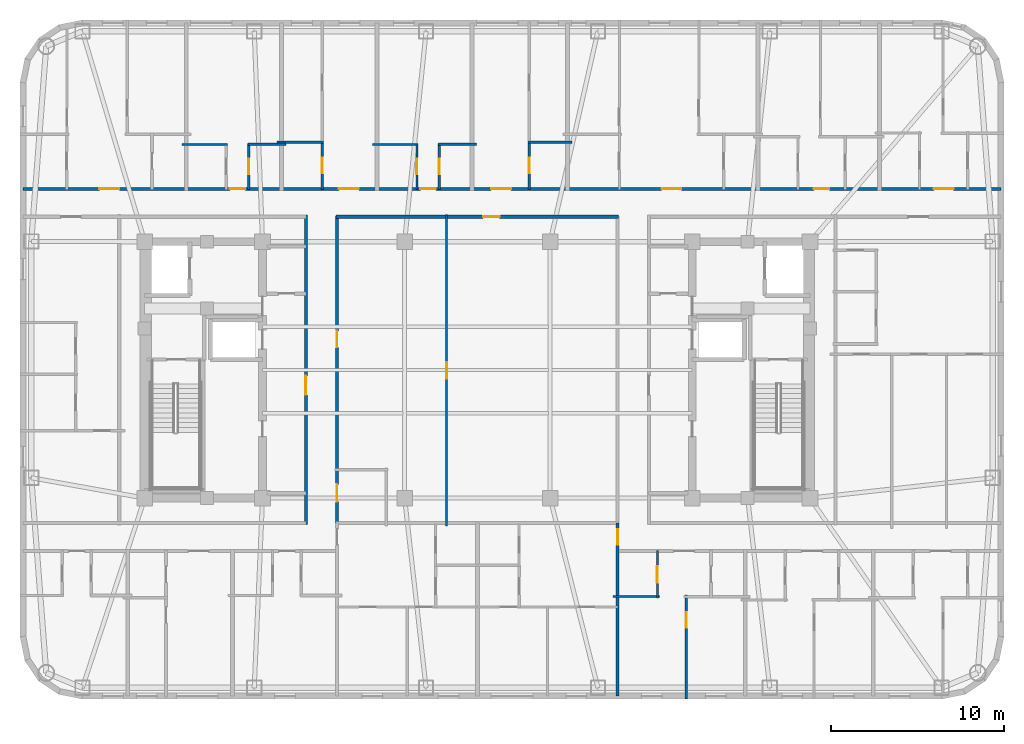
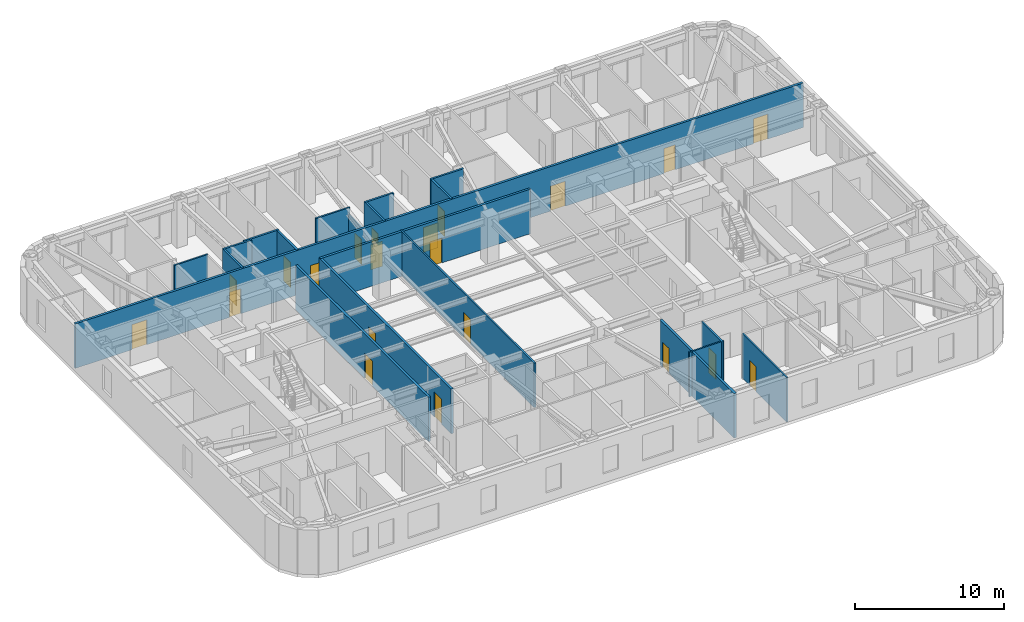
# One storey, part 5 of 11: 21 doors, 20 walls, 21 openings.
"""IFC4 building model written with IfcOpenShell, lengths in metres."""

from ifc_helpers import new_model, si_unit, direction, frame, frame_2d, origin, place, context, subcontext, project, spatial, rectangle, extrude, material, layer, layer_set, type_object, element, fill, save


model = new_model("IFC4")

# Units and contexts
model_context = context("Model", 3, precision=1e-05, world=origin(), true_north=direction((0.0, 1.0)))
body_context = subcontext(model_context, "Body", "Model", "MODEL_VIEW")
ifc_project = project(units=[si_unit("LENGTHUNIT", "METRE"), si_unit("AREAUNIT", "SQUARE_METRE"), si_unit("VOLUMEUNIT", "CUBIC_METRE"), si_unit("PLANEANGLEUNIT", "RADIAN"), si_unit("MASSUNIT", "GRAM", prefix="KILO")], contexts=[model_context])

# Site, building, storey
site_placement = place(None, origin())
site = spatial("IfcSite", under=ifc_project, at=site_placement, CompositionType="ELEMENT")
building_placement = place(site_placement, origin())
building = spatial("IfcBuilding", under=site, at=building_placement, Name="Voryun Gate Residences", CompositionType="ELEMENT")
storey_placement = place(building_placement, frame((0.0, 0.0, 239.199951171875)))
storey = spatial("IfcBuildingStorey", under=building, at=storey_placement, Name="L59", CompositionType="ELEMENT", Elevation=239.199951171875)

# Wall, opening, door
ifc_material_1 = material(Name="Gypsum acoustic fireboard")
ifc_layer_1 = layer(ifc_material_1, 0.179931640625, Name="W_CORR_RATED_180")
ifc_layer_set_1 = layer_set([ifc_layer_1], Name="Gypsum acoustic fireboard")
wall_type_1 = type_object("IfcWallType", Name="W_CORR_RATED_180", PredefinedType="PARTITIONING", material=ifc_layer_set_1)
wall_1_placement = place(storey_placement, frame((-9.89990234375, -8.929931640625, 0.0), z_axis=(0.0, 0.0, 1.0), x_axis=(0.0, 1.0, 0.0)))
wall_1 = element("IfcWall", 1, at=wall_1_placement, inside=storey, type_object=wall_type_1, Name="Partition wall WP-L59-PLBW-FULL", PredefinedType="PARTITIONING", context=body_context, shape_type="SweptSolid", body=[
    extrude(rectangle(XDim=17.85986328125, YDim=0.179931640625, at=frame_2d((8.929931640625, 0.0))), origin(), (0.0, 0.0, 1.0), 3.650146484375),
])
opening_1_placement = place(wall_1_placement, frame((7.487060546875, 0.0, 0.0)))
opening_1 = element("IfcOpeningElement", 2, at=opening_1_placement, cuts=wall_1, Name="Opening D-FD60-2", PredefinedType="OPENING", context=body_context, shape_type="SweptSolid", body=[
    extrude(rectangle(XDim=1.10009765625, YDim=2.050048828125, at=frame_2d((0.550048828125, 1.02490234375))), frame((0.0, 0.099853515625, 0.0), z_axis=(0.0, -1.0, 0.0), x_axis=(1.0, 0.0, 0.0)), (0.0, 0.0, 1.0), 0.199951171875),
])
ifc_material_2 = material(Name="Painted steel fire door", Category="steel")
door_type_1 = type_object("IfcDoorType", Name="DR_FD60_FFLOB_1100", OperationType="NOTDEFINED", PredefinedType="DOOR", material=ifc_material_2)
door_1_placement = place(opening_1_placement, origin())
door_1 = element("IfcDoor", 3, at=door_1_placement, inside=storey, type_object=door_type_1, Name="Door DR-L59-PLBW-COR", OperationType="SINGLE_SWING_LEFT", OverallHeight=2.050048828125, OverallWidth=1.10009765625, PredefinedType="DOOR", context=body_context, shape_type="SweptSolid", body=[
    extrude(rectangle(XDim=1.10009765625, YDim=2.050048828125, at=frame_2d((0.550048828125, 1.02490234375))), frame((0.0, 0.02490234375, 0.0), z_axis=(0.0, -1.0, 0.0), x_axis=(1.0, 0.0, 0.0)), (0.0, 0.0, 1.0), 0.050048828125),
])
fill(opening_1, door_1)

wall_2_placement = place(storey_placement, frame((-8.14990234375, 8.840087890625, 0.0), z_axis=(0.0, 0.0, 1.0), x_axis=(1.0, 0.0, 0.0)))
wall_2 = element("IfcWall", 4, at=wall_2_placement, inside=storey, type_object=wall_type_1, Name="Partition wall WP-L59-Z3N", PredefinedType="PARTITIONING", context=body_context, shape_type="SweptSolid", body=[
    extrude(rectangle(XDim=16.2998046875, YDim=0.179931640625, at=frame_2d((8.14990234375, 0.0))), origin(), (0.0, 0.0, 1.0), 3.650146484375),
])
opening_2_placement = place(wall_2_placement, frame((8.489990234375, 0.0, 0.0)))
opening_2 = element("IfcOpeningElement", 5, at=opening_2_placement, cuts=wall_2, Name="Opening D-INT-1", PredefinedType="OPENING", context=body_context, shape_type="SweptSolid", body=[
    extrude(rectangle(XDim=0.949951171875, YDim=2.050048828125, at=frame_2d((0.47509765625, 1.02490234375))), frame((0.0, 0.099853515625, 0.0), z_axis=(0.0, -1.0, 0.0), x_axis=(1.0, 0.0, 0.0)), (0.0, 0.0, 1.0), 0.199951171875),
])
ifc_material_3 = material(Name="Architectural oak veneer")
door_type_2 = type_object("IfcDoorType", Name="DR_INT_ROOM_950", OperationType="NOTDEFINED", PredefinedType="DOOR", material=ifc_material_3)
door_2_placement = place(opening_2_placement, origin())
door_2 = element("IfcDoor", 6, at=door_2_placement, inside=storey, type_object=door_type_2, Name="Door DR-L59-CMIDZ3N", OperationType="SINGLE_SWING_LEFT", OverallHeight=2.050048828125, OverallWidth=0.949951171875, PredefinedType="DOOR", context=body_context, shape_type="SweptSolid", body=[
    extrude(rectangle(XDim=0.949951171875, YDim=2.050048828125, at=frame_2d((0.47509765625, 1.02490234375))), frame((0.0, 0.02490234375, 0.0), z_axis=(0.0, -1.0, 0.0), x_axis=(1.0, 0.0, 0.0)), (0.0, 0.0, 1.0), 0.050048828125),
])
fill(opening_2, door_2)

# Wall, openings, doors
wall_3_placement = place(storey_placement, frame((-8.10009765625, -8.8798828125, 0.0), z_axis=(0.0, 0.0, 1.0), x_axis=(0.0, 1.0, 0.0)))
wall_3 = element("IfcWall", 7, at=wall_3_placement, inside=storey, type_object=wall_type_1, Name="Partition wall WP-L59-Z3W", PredefinedType="PARTITIONING", context=body_context, shape_type="SweptSolid", body=[
    extrude(rectangle(XDim=17.759765625, YDim=0.179931640625, at=frame_2d((8.8798828125, 0.0))), origin(), (0.0, 0.0, 1.0), 3.650146484375),
])
opening_3_placement = place(wall_3_placement, frame((1.27587890625, 0.0, 0.0)))
opening_3 = element("IfcOpeningElement", 8, at=opening_3_placement, cuts=wall_3, Name="Opening D-AWC-1", PredefinedType="OPENING", context=body_context, shape_type="SweptSolid", body=[
    extrude(rectangle(XDim=1.0, YDim=2.050048828125, at=frame_2d((0.5, 1.02490234375))), frame((0.0, 0.099853515625, 0.0), z_axis=(0.0, -1.0, 0.0), x_axis=(1.0, 0.0, 0.0)), (0.0, 0.0, 1.0), 0.199951171875),
])
opening_4_placement = place(wall_3_placement, frame((10.180908203125, 0.0, 0.0)))
opening_4 = element("IfcOpeningElement", 9, at=opening_4_placement, cuts=wall_3, Name="Opening D-INT-1", PredefinedType="OPENING", context=body_context, shape_type="SweptSolid", body=[
    extrude(rectangle(XDim=0.949951171875, YDim=2.050048828125, at=frame_2d((0.47509765625, 1.02490234375))), frame((0.0, 0.099853515625, 0.0), z_axis=(0.0, -1.0, 0.0), x_axis=(1.0, 0.0, 0.0)), (0.0, 0.0, 1.0), 0.199951171875),
])
ifc_material_4 = material(Name="Architectural oak veneer")
door_type_3 = type_object("IfcDoorType", Name="DR_ACC_WC_1000", OperationType="NOTDEFINED", PredefinedType="DOOR", material=ifc_material_4)
door_3_placement = place(opening_3_placement, origin())
door_3 = element("IfcDoor", 10, at=door_3_placement, inside=storey, type_object=door_type_3, Name="Door DR-L59-CMWC-D", OperationType="SINGLE_SWING_LEFT", OverallHeight=2.050048828125, OverallWidth=1.0, PredefinedType="DOOR", context=body_context, shape_type="SweptSolid", body=[
    extrude(rectangle(XDim=1.0, YDim=2.050048828125, at=frame_2d((0.5, 1.02490234375))), frame((0.0, 0.02490234375, 0.0), z_axis=(0.0, -1.0, 0.0), x_axis=(1.0, 0.0, 0.0)), (0.0, 0.0, 1.0), 0.050048828125),
])
fill(opening_3, door_3)
door_4_placement = place(opening_4_placement, origin())
door_4 = element("IfcDoor", 11, at=door_4_placement, inside=storey, type_object=door_type_2, Name="Door DR-L59-CMIDZ3W", OperationType="SINGLE_SWING_RIGHT", OverallHeight=2.050048828125, OverallWidth=0.949951171875, PredefinedType="DOOR", context=body_context, shape_type="SweptSolid", body=[
    extrude(rectangle(XDim=0.949951171875, YDim=2.050048828125, at=frame_2d((0.47509765625, 1.02490234375))), frame((0.0, 0.02490234375, 0.0), z_axis=(0.0, -1.0, 0.0), x_axis=(1.0, 0.0, 0.0)), (0.0, 0.0, 1.0), 0.050048828125),
])
fill(opening_4, door_4)

wall_4_placement = place(storey_placement, frame((-26.22998046875, 10.449951171875, 0.0), z_axis=(0.0, 0.0, 1.0), x_axis=(1.0, 0.0, 0.0)))
wall_4 = element("IfcWall", 12, at=wall_4_placement, inside=storey, type_object=wall_type_1, Name="Partition wall WP-L59-NCORR", PredefinedType="PARTITIONING", context=body_context, shape_type="SweptSolid", body=[
    extrude(rectangle(XDim=56.4599609375, YDim=0.179931640625, at=frame_2d((28.22998046875, 0.0))), origin(), (0.0, 0.0, 1.0), 3.650146484375),
])
opening_5_placement = place(wall_4_placement, frame((4.410400390625, 0.0, 0.0)))
opening_5 = element("IfcOpeningElement", 13, at=opening_5_placement, cuts=wall_4, Name="Opening D-UNIT-1", PredefinedType="OPENING", context=body_context, shape_type="SweptSolid", body=[
    extrude(rectangle(XDim=1.14990234375, YDim=2.050048828125, at=frame_2d((0.574951171875, 1.02490234375))), frame((0.0, 0.099853515625, 0.0), z_axis=(0.0, -1.0, 0.0), x_axis=(1.0, 0.0, 0.0)), (0.0, 0.0, 1.0), 0.199951171875),
])
opening_6_placement = place(wall_4_placement, frame((11.943115234375, 0.0, 0.0)))
opening_6 = element("IfcOpeningElement", 14, at=opening_6_placement, cuts=wall_4, Name="Opening D-INT-2", PredefinedType="OPENING", context=body_context, shape_type="SweptSolid", body=[
    extrude(rectangle(XDim=0.89990234375, YDim=2.050048828125, at=frame_2d((0.449951171875, 1.02490234375))), frame((0.0, 0.099853515625, 0.0), z_axis=(0.0, -1.0, 0.0), x_axis=(1.0, 0.0, 0.0)), (0.0, 0.0, 1.0), 0.199951171875),
])
opening_7_placement = place(wall_4_placement, frame((18.2431640625, 0.0, 0.0)))
opening_7 = element("IfcOpeningElement", 15, at=opening_7_placement, cuts=wall_4, Name="Opening D-UNIT-1", PredefinedType="OPENING", context=body_context, shape_type="SweptSolid", body=[
    extrude(rectangle(XDim=1.14990234375, YDim=2.050048828125, at=frame_2d((0.574951171875, 1.02490234375))), frame((0.0, 0.099853515625, 0.0), z_axis=(0.0, -1.0, 0.0), x_axis=(1.0, 0.0, 0.0)), (0.0, 0.0, 1.0), 0.199951171875),
])
opening_8_placement = place(wall_4_placement, frame((22.94140625, 0.0, 0.0)))
opening_8 = element("IfcOpeningElement", 16, at=opening_8_placement, cuts=wall_4, Name="Opening D-INT-2", PredefinedType="OPENING", context=body_context, shape_type="SweptSolid", body=[
    extrude(rectangle(XDim=0.89990234375, YDim=2.050048828125, at=frame_2d((0.449951171875, 1.02490234375))), frame((0.0, 0.099853515625, 0.0), z_axis=(0.0, -1.0, 0.0), x_axis=(1.0, 0.0, 0.0)), (0.0, 0.0, 1.0), 0.199951171875),
])
opening_9_placement = place(wall_4_placement, frame((27.0283203125, 0.0, 0.0)))
opening_9 = element("IfcOpeningElement", 17, at=opening_9_placement, cuts=wall_4, Name="Opening D-UNIT-1", PredefinedType="OPENING", context=body_context, shape_type="SweptSolid", body=[
    extrude(rectangle(XDim=1.14990234375, YDim=2.050048828125, at=frame_2d((0.574951171875, 1.02490234375))), frame((0.0, 0.099853515625, 0.0), z_axis=(0.0, -1.0, 0.0), x_axis=(1.0, 0.0, 0.0)), (0.0, 0.0, 1.0), 0.199951171875),
])
opening_10_placement = place(wall_4_placement, frame((36.863525390625, 0.0, 0.0)))
opening_10 = element("IfcOpeningElement", 18, at=opening_10_placement, cuts=wall_4, Name="Opening D-UNIT-1", PredefinedType="OPENING", context=body_context, shape_type="SweptSolid", body=[
    extrude(rectangle(XDim=1.14990234375, YDim=2.050048828125, at=frame_2d((0.574951171875, 1.02490234375))), frame((0.0, 0.099853515625, 0.0), z_axis=(0.0, -1.0, 0.0), x_axis=(1.0, 0.0, 0.0)), (0.0, 0.0, 1.0), 0.199951171875),
])
opening_11_placement = place(wall_4_placement, frame((45.6552734375, 0.0, 0.0)))
opening_11 = element("IfcOpeningElement", 19, at=opening_11_placement, cuts=wall_4, Name="Opening D-INT-2", PredefinedType="OPENING", context=body_context, shape_type="SweptSolid", body=[
    extrude(rectangle(XDim=0.89990234375, YDim=2.050048828125, at=frame_2d((0.449951171875, 1.02490234375))), frame((0.0, 0.099853515625, 0.0), z_axis=(0.0, -1.0, 0.0), x_axis=(1.0, 0.0, 0.0)), (0.0, 0.0, 1.0), 0.199951171875),
])
opening_12_placement = place(wall_4_placement, frame((52.576416015625, 0.0, 0.0)))
opening_12 = element("IfcOpeningElement", 20, at=opening_12_placement, cuts=wall_4, Name="Opening D-UNIT-1", PredefinedType="OPENING", context=body_context, shape_type="SweptSolid", body=[
    extrude(rectangle(XDim=1.14990234375, YDim=2.050048828125, at=frame_2d((0.574951171875, 1.02490234375))), frame((0.0, 0.099853515625, 0.0), z_axis=(0.0, -1.0, 0.0), x_axis=(1.0, 0.0, 0.0)), (0.0, 0.0, 1.0), 0.199951171875),
])
ifc_material_5 = material(Name="Architectural oak veneer")
door_type_4 = type_object("IfcDoorType", Name="DR_INT_BATH_900", OperationType="NOTDEFINED", PredefinedType="DOOR", material=ifc_material_5)
door_5_placement = place(opening_6_placement, origin())
door_5 = element("IfcDoor", 21, at=door_5_placement, inside=storey, type_object=door_type_4, Name="Door DR-L59-NENT-2", OperationType="SINGLE_SWING_RIGHT", OverallHeight=2.050048828125, OverallWidth=0.89990234375, PredefinedType="DOOR", context=body_context, shape_type="SweptSolid", body=[
    extrude(rectangle(XDim=0.89990234375, YDim=2.050048828125, at=frame_2d((0.449951171875, 1.02490234375))), frame((0.0, 0.02490234375, 0.0), z_axis=(0.0, -1.0, 0.0), x_axis=(1.0, 0.0, 0.0)), (0.0, 0.0, 1.0), 0.050048828125),
])
fill(opening_6, door_5)
door_6_placement = place(opening_8_placement, origin())
door_6 = element("IfcDoor", 22, at=door_6_placement, inside=storey, type_object=door_type_4, Name="Door DR-L59-NENT-4", OperationType="SINGLE_SWING_RIGHT", OverallHeight=2.050048828125, OverallWidth=0.89990234375, PredefinedType="DOOR", context=body_context, shape_type="SweptSolid", body=[
    extrude(rectangle(XDim=0.89990234375, YDim=2.050048828125, at=frame_2d((0.449951171875, 1.02490234375))), frame((0.0, 0.02490234375, 0.0), z_axis=(0.0, -1.0, 0.0), x_axis=(1.0, 0.0, 0.0)), (0.0, 0.0, 1.0), 0.050048828125),
])
fill(opening_8, door_6)
door_7_placement = place(opening_11_placement, origin())
door_7 = element("IfcDoor", 23, at=door_7_placement, inside=storey, type_object=door_type_4, Name="Door DR-L59-NENT-7", OperationType="SINGLE_SWING_LEFT", OverallHeight=2.050048828125, OverallWidth=0.89990234375, PredefinedType="DOOR", context=body_context, shape_type="SweptSolid", body=[
    extrude(rectangle(XDim=0.89990234375, YDim=2.050048828125, at=frame_2d((0.449951171875, 1.02490234375))), frame((0.0, 0.02490234375, 0.0), z_axis=(0.0, -1.0, 0.0), x_axis=(1.0, 0.0, 0.0)), (0.0, 0.0, 1.0), 0.050048828125),
])
fill(opening_11, door_7)
ifc_material_6 = material(Name="Armoured timber-clad fire door", Category="wood")
door_type_5 = type_object("IfcDoorType", Name="DR_UNIT_ENTRY_1150", OperationType="NOTDEFINED", PredefinedType="DOOR", material=ifc_material_6)
door_8_placement = place(opening_5_placement, origin())
door_8 = element("IfcDoor", 24, at=door_8_placement, inside=storey, type_object=door_type_5, Name="Door DR-L59-NENT-1", OperationType="SINGLE_SWING_LEFT", OverallHeight=2.050048828125, OverallWidth=1.14990234375, PredefinedType="DOOR", context=body_context, shape_type="SweptSolid", body=[
    extrude(rectangle(XDim=1.14990234375, YDim=2.050048828125, at=frame_2d((0.574951171875, 1.02490234375))), frame((0.0, 0.02490234375, 0.0), z_axis=(0.0, -1.0, 0.0), x_axis=(1.0, 0.0, 0.0)), (0.0, 0.0, 1.0), 0.050048828125),
])
fill(opening_5, door_8)
door_9_placement = place(opening_7_placement, origin())
door_9 = element("IfcDoor", 25, at=door_9_placement, inside=storey, type_object=door_type_5, Name="Door DR-L59-NENT-3", OperationType="SINGLE_SWING_LEFT", OverallHeight=2.050048828125, OverallWidth=1.14990234375, PredefinedType="DOOR", context=body_context, shape_type="SweptSolid", body=[
    extrude(rectangle(XDim=1.14990234375, YDim=2.050048828125, at=frame_2d((0.574951171875, 1.02490234375))), frame((0.0, 0.02490234375, 0.0), z_axis=(0.0, -1.0, 0.0), x_axis=(1.0, 0.0, 0.0)), (0.0, 0.0, 1.0), 0.050048828125),
])
fill(opening_7, door_9)
door_10_placement = place(opening_9_placement, origin())
door_10 = element("IfcDoor", 26, at=door_10_placement, inside=storey, type_object=door_type_5, Name="Door DR-L59-NENT-5", OperationType="SINGLE_SWING_LEFT", OverallHeight=2.050048828125, OverallWidth=1.14990234375, PredefinedType="DOOR", context=body_context, shape_type="SweptSolid", body=[
    extrude(rectangle(XDim=1.14990234375, YDim=2.050048828125, at=frame_2d((0.574951171875, 1.02490234375))), frame((0.0, 0.02490234375, 0.0), z_axis=(0.0, -1.0, 0.0), x_axis=(1.0, 0.0, 0.0)), (0.0, 0.0, 1.0), 0.050048828125),
])
fill(opening_9, door_10)
door_11_placement = place(opening_10_placement, origin())
door_11 = element("IfcDoor", 27, at=door_11_placement, inside=storey, type_object=door_type_5, Name="Door DR-L59-NENT-6", OperationType="SINGLE_SWING_RIGHT", OverallHeight=2.050048828125, OverallWidth=1.14990234375, PredefinedType="DOOR", context=body_context, shape_type="SweptSolid", body=[
    extrude(rectangle(XDim=1.14990234375, YDim=2.050048828125, at=frame_2d((0.574951171875, 1.02490234375))), frame((0.0, 0.02490234375, 0.0), z_axis=(0.0, -1.0, 0.0), x_axis=(1.0, 0.0, 0.0)), (0.0, 0.0, 1.0), 0.050048828125),
])
fill(opening_10, door_11)
door_12_placement = place(opening_12_placement, origin())
door_12 = element("IfcDoor", 28, at=door_12_placement, inside=storey, type_object=door_type_5, Name="Door DR-L59-NENT-8", OperationType="SINGLE_SWING_RIGHT", OverallHeight=2.050048828125, OverallWidth=1.14990234375, PredefinedType="DOOR", context=body_context, shape_type="SweptSolid", body=[
    extrude(rectangle(XDim=1.14990234375, YDim=2.050048828125, at=frame_2d((0.574951171875, 1.02490234375))), frame((0.0, 0.02490234375, 0.0), z_axis=(0.0, -1.0, 0.0), x_axis=(1.0, 0.0, 0.0)), (0.0, 0.0, 1.0), 0.050048828125),
])
fill(opening_12, door_12)

# Wall, opening, door
wall_5_placement = place(storey_placement, frame((8.10009765625, -18.830078125, 0.0), z_axis=(0.0, 0.0, 1.0), x_axis=(0.0, 1.0, 0.0)))
wall_5 = element("IfcWall", 29, at=wall_5_placement, inside=storey, type_object=wall_type_1, Name="Partition wall WP-L59-SZV-2", PredefinedType="PARTITIONING", context=body_context, shape_type="SweptSolid", body=[
    extrude(rectangle(XDim=9.989990234375, YDim=0.179931640625, at=frame_2d((4.9951171875, 0.0))), origin(), (0.0, 0.0, 1.0), 3.650146484375),
])
opening_13_placement = place(wall_5_placement, frame((8.73974609375, 0.0, 0.0)))
opening_13 = element("IfcOpeningElement", 30, at=opening_13_placement, cuts=wall_5, Name="Opening D-INT-2", PredefinedType="OPENING", context=body_context, shape_type="SweptSolid", body=[
    extrude(rectangle(XDim=0.89990234375, YDim=2.050048828125, at=frame_2d((0.449951171875, 1.02490234375))), frame((0.0, 0.099853515625, 0.0), z_axis=(0.0, -1.0, 0.0), x_axis=(1.0, 0.0, 0.0)), (0.0, 0.0, 1.0), 0.199951171875),
])
door_13_placement = place(opening_13_placement, origin())
door_13 = element("IfcDoor", 31, at=door_13_placement, inside=storey, type_object=door_type_4, Name="Door DR-L59-SZENT-2", OperationType="SINGLE_SWING_RIGHT", OverallHeight=2.050048828125, OverallWidth=0.89990234375, PredefinedType="DOOR", context=body_context, shape_type="SweptSolid", body=[
    extrude(rectangle(XDim=0.89990234375, YDim=2.050048828125, at=frame_2d((0.449951171875, 1.02490234375))), frame((0.0, 0.02490234375, 0.0), z_axis=(0.0, -1.0, 0.0), x_axis=(1.0, 0.0, 0.0)), (0.0, 0.0, 1.0), 0.050048828125),
])
fill(opening_13, door_13)

ifc_material_7 = material(Name="Gypsum acoustic partition")
ifc_layer_2 = layer(ifc_material_7, 0.125, Name="W_UNIT_PART_125")
ifc_layer_set_2 = layer_set([ifc_layer_2], Name="Gypsum acoustic partition")
wall_type_2 = type_object("IfcWallType", Name="W_UNIT_PART_125", PredefinedType="PARTITIONING", material=ifc_layer_set_2)
wall_6_placement = place(storey_placement, frame((-1.77294921875, -9.02001953125, 0.0), z_axis=(0.0, 0.0, 1.0), x_axis=(0.0, 1.0, 0.0)))
wall_6 = element("IfcWall", 32, at=wall_6_placement, inside=storey, type_object=wall_type_2, Name="Partition wall WP-L59-MIDX-0", PredefinedType="PARTITIONING", context=body_context, shape_type="SweptSolid", body=[
    extrude(rectangle(XDim=17.989990234375, YDim=0.125, at=frame_2d((8.9951171875, 0.0))), origin(), (0.0, 0.0, 1.0), 3.650146484375),
])
opening_14_placement = place(wall_6_placement, frame((8.52001953125, 0.0, 0.0)))
opening_14 = element("IfcOpeningElement", 33, at=opening_14_placement, cuts=wall_6, Name="Opening D-INT-1", PredefinedType="OPENING", context=body_context, shape_type="SweptSolid", body=[
    extrude(rectangle(XDim=0.949951171875, YDim=2.050048828125, at=frame_2d((0.47509765625, 1.02490234375))), frame((0.0, 0.072509765625, 0.0), z_axis=(0.0, -1.0, 0.0), x_axis=(1.0, 0.0, 0.0)), (0.0, 0.0, 1.0), 0.14501953125),
])
door_14_placement = place(opening_14_placement, origin())
door_14 = element("IfcDoor", 34, at=door_14_placement, inside=storey, type_object=door_type_2, Name="Door DR-L59-MIDX-0", OperationType="SINGLE_SWING_LEFT", OverallHeight=2.050048828125, OverallWidth=0.949951171875, PredefinedType="DOOR", context=body_context, shape_type="SweptSolid", body=[
    extrude(rectangle(XDim=0.949951171875, YDim=2.050048828125, at=frame_2d((0.47509765625, 1.02490234375))), frame((0.0, 0.02490234375, 0.0), z_axis=(0.0, -1.0, 0.0), x_axis=(1.0, 0.0, 0.0)), (0.0, 0.0, 1.0), 0.050048828125),
])
fill(opening_14, door_14)

# Wall
wall_7_placement = place(storey_placement, frame((-17.06005859375, 13.02001953125, 0.0), z_axis=(0.0, 0.0, 1.0), x_axis=(1.0, 0.0, 0.0)))
element("IfcWall", 35, at=wall_7_placement, inside=storey, type_object=wall_type_2, Name="Partition wall WP-L59-N2-CHK", PredefinedType="PARTITIONING", context=body_context, shape_type="SweptSolid", body=[
    extrude(rectangle(XDim=2.630126953125, YDim=0.125, at=frame_2d((1.31494140625, 0.0))), origin(), (0.0, 0.0, 1.0), 3.650146484375),
])

# Wall, opening, door
wall_8_placement = place(storey_placement, frame((-3.489990234375, 10.429931640625, 0.0), z_axis=(0.0, 0.0, 1.0), x_axis=(0.0, 1.0, 0.0)))
wall_8 = element("IfcWall", 36, at=wall_8_placement, inside=storey, type_object=wall_type_2, Name="Partition wall WP-L59-N4-CVK", PredefinedType="PARTITIONING", context=body_context, shape_type="SweptSolid", body=[
    extrude(rectangle(XDim=2.650146484375, YDim=0.125, at=frame_2d((1.3251953125, 0.0))), origin(), (0.0, 0.0, 1.0), 3.090087890625),
])
opening_15_placement = place(wall_8_placement, frame((0.875, 0.0, 0.0)))
opening_15 = element("IfcOpeningElement", 37, at=opening_15_placement, cuts=wall_8, Name="Opening D-INT-2", PredefinedType="OPENING", context=body_context, shape_type="SweptSolid", body=[
    extrude(rectangle(XDim=0.89990234375, YDim=2.050048828125, at=frame_2d((0.449951171875, 1.02490234375))), frame((0.0, 0.072509765625, 0.0), z_axis=(0.0, -1.0, 0.0), x_axis=(1.0, 0.0, 0.0)), (0.0, 0.0, 1.0), 0.14501953125),
])
door_15_placement = place(opening_15_placement, origin())
door_15 = element("IfcDoor", 38, at=door_15_placement, inside=storey, type_object=door_type_4, Name="Door DR-L59-N4-DK", OperationType="SINGLE_SWING_LEFT", OverallHeight=2.050048828125, OverallWidth=0.89990234375, PredefinedType="DOOR", context=body_context, shape_type="SweptSolid", body=[
    extrude(rectangle(XDim=0.89990234375, YDim=2.050048828125, at=frame_2d((0.449951171875, 1.02490234375))), frame((0.0, 0.02490234375, 0.0), z_axis=(0.0, -1.0, 0.0), x_axis=(1.0, 0.0, 0.0)), (0.0, 0.0, 1.0), 0.050048828125),
])
fill(opening_15, door_15)

# Wall
wall_9_placement = place(storey_placement, frame((-6.06005859375, 13.02001953125, 0.0), z_axis=(0.0, 0.0, 1.0), x_axis=(1.0, 0.0, 0.0)))
element("IfcWall", 39, at=wall_9_placement, inside=storey, type_object=wall_type_2, Name="Partition wall WP-L59-N4-CHK", PredefinedType="PARTITIONING", context=body_context, shape_type="SweptSolid", body=[
    extrude(rectangle(XDim=2.630126953125, YDim=0.125, at=frame_2d((1.31494140625, 0.0))), origin(), (0.0, 0.0, 1.0), 3.650146484375),
])

# Wall, opening, door
wall_10_placement = place(storey_placement, frame((12.055908203125, -18.97998046875, 0.0), z_axis=(0.0, 0.0, 1.0), x_axis=(0.0, 1.0, 0.0)))
wall_10 = element("IfcWall", 40, at=wall_10_placement, inside=storey, type_object=wall_type_2, Name="Partition wall WP-L59-S5-OVR", PredefinedType="PARTITIONING", context=body_context, shape_type="SweptSolid", body=[
    extrude(rectangle(XDim=5.97509765625, YDim=0.125, at=frame_2d((2.987548828125, 0.0))), origin(), (0.0, 0.0, 1.0), 3.650146484375),
])
opening_16_placement = place(wall_10_placement, frame((4.091064453125, 0.0, 0.0)))
opening_16 = element("IfcOpeningElement", 41, at=opening_16_placement, cuts=wall_10, Name="Opening D-INT-2", PredefinedType="OPENING", context=body_context, shape_type="SweptSolid", body=[
    extrude(rectangle(XDim=0.89990234375, YDim=2.050048828125, at=frame_2d((0.449951171875, 1.02490234375))), frame((0.0, 0.072509765625, 0.0), z_axis=(0.0, -1.0, 0.0), x_axis=(1.0, 0.0, 0.0)), (0.0, 0.0, 1.0), 0.14501953125),
])
door_16_placement = place(opening_16_placement, origin())
door_16 = element("IfcDoor", 42, at=door_16_placement, inside=storey, type_object=door_type_4, Name="Door DR-L59-S5-DMB", OperationType="SINGLE_SWING_RIGHT", OverallHeight=2.050048828125, OverallWidth=0.89990234375, PredefinedType="DOOR", context=body_context, shape_type="SweptSolid", body=[
    extrude(rectangle(XDim=0.89990234375, YDim=2.050048828125, at=frame_2d((0.449951171875, 1.02490234375))), frame((0.0, 0.02490234375, 0.0), z_axis=(0.0, -1.0, 0.0), x_axis=(1.0, 0.0, 0.0)), (0.0, 0.0, 1.0), 0.050048828125),
])
fill(opening_16, door_16)

wall_11_placement = place(storey_placement, frame((10.389892578125, -13.1650390625, 0.0), z_axis=(0.0, 0.0, 1.0), x_axis=(0.0, 1.0, 0.0)))
wall_11 = element("IfcWall", 43, at=wall_11_placement, inside=storey, type_object=wall_type_2, Name="Partition wall WP-L59-S5-IVK", PredefinedType="PARTITIONING", context=body_context, shape_type="SweptSolid", body=[
    extrude(rectangle(XDim=2.735107421875, YDim=0.125, at=frame_2d((1.36767578125, 0.0))), origin(), (0.0, 0.0, 1.0), 3.650146484375),
])
opening_17_placement = place(wall_11_placement, frame((0.892578125, 0.0, 0.0)))
opening_17 = element("IfcOpeningElement", 44, at=opening_17_placement, cuts=wall_11, Name="Opening D-INT-1", PredefinedType="OPENING", context=body_context, shape_type="SweptSolid", body=[
    extrude(rectangle(XDim=0.949951171875, YDim=2.050048828125, at=frame_2d((0.47509765625, 1.02490234375))), frame((0.0, 0.072509765625, 0.0), z_axis=(0.0, -1.0, 0.0), x_axis=(1.0, 0.0, 0.0)), (0.0, 0.0, 1.0), 0.14501953125),
])
door_17_placement = place(opening_17_placement, origin())
door_17 = element("IfcDoor", 45, at=door_17_placement, inside=storey, type_object=door_type_2, Name="Door DR-L59-S5-DK", OperationType="SINGLE_SWING_LEFT", OverallHeight=2.050048828125, OverallWidth=0.949951171875, PredefinedType="DOOR", context=body_context, shape_type="SweptSolid", body=[
    extrude(rectangle(XDim=0.949951171875, YDim=2.050048828125, at=frame_2d((0.47509765625, 1.02490234375))), frame((0.0, 0.02490234375, 0.0), z_axis=(0.0, -1.0, 0.0), x_axis=(1.0, 0.0, 0.0)), (0.0, 0.0, 1.0), 0.050048828125),
])
fill(opening_17, door_17)

# Wall
wall_12_placement = place(storey_placement, frame((7.820068359375, -13.0849609375, 0.0), z_axis=(0.0, 0.0, 1.0), x_axis=(1.0, 0.0, 0.0)))
element("IfcWall", 46, at=wall_12_placement, inside=storey, type_object=wall_type_2, Name="Partition wall WP-L59-S5-HZK", PredefinedType="PARTITIONING", context=body_context, shape_type="SweptSolid", body=[
    extrude(rectangle(XDim=2.68994140625, YDim=0.125, at=frame_2d((1.344970703125, 0.0))), origin(), (0.0, 0.0, 1.0), 3.650146484375),
])

# Wall, opening, door
ifc_material_8 = material(Name="Gypsum moisture-resistant partition")
ifc_layer_3 = layer(ifc_material_8, 0.14990234375, Name="W_WET_PLUMB_150")
ifc_layer_set_3 = layer_set([ifc_layer_3], Name="Gypsum moisture-resistant partition")
wall_type_3 = type_object("IfcWallType", Name="W_WET_PLUMB_150", PredefinedType="PLUMBINGWALL", material=ifc_layer_set_3)
wall_13_placement = place(storey_placement, frame((-13.18896484375, 10.429931640625, 0.0), z_axis=(0.0, 0.0, 1.0), x_axis=(0.0, 1.0, 0.0)))
wall_13 = element("IfcWall", 47, at=wall_13_placement, inside=storey, type_object=wall_type_3, Name="Partition wall WP-L59-N2-CVB", PredefinedType="PLUMBINGWALL", context=body_context, shape_type="SweptSolid", body=[
    extrude(rectangle(XDim=2.650146484375, YDim=0.14990234375, at=frame_2d((1.3251953125, 0.0))), origin(), (0.0, 0.0, 1.0), 3.650146484375),
])
opening_18_placement = place(wall_13_placement, frame((0.875, 0.0, 0.0)))
opening_18 = element("IfcOpeningElement", 48, at=opening_18_placement, cuts=wall_13, Name="Opening D-INT-2", PredefinedType="OPENING", context=body_context, shape_type="SweptSolid", body=[
    extrude(rectangle(XDim=0.89990234375, YDim=2.050048828125, at=frame_2d((0.449951171875, 1.02490234375))), frame((0.0, 0.0849609375, 0.0), z_axis=(0.0, -1.0, 0.0), x_axis=(1.0, 0.0, 0.0)), (0.0, 0.0, 1.0), 0.169921875),
])
door_18_placement = place(opening_18_placement, origin())
door_18 = element("IfcDoor", 49, at=door_18_placement, inside=storey, type_object=door_type_4, Name="Door DR-L59-N2-DB", OperationType="SINGLE_SWING_RIGHT", OverallHeight=2.050048828125, OverallWidth=0.89990234375, PredefinedType="DOOR", context=body_context, shape_type="SweptSolid", body=[
    extrude(rectangle(XDim=0.89990234375, YDim=2.050048828125, at=frame_2d((0.449951171875, 1.02490234375))), frame((0.0, 0.02490234375, 0.0), z_axis=(0.0, -1.0, 0.0), x_axis=(1.0, 0.0, 0.0)), (0.0, 0.0, 1.0), 0.050048828125),
])
fill(opening_18, door_18)

# Walls
wall_14_placement = place(storey_placement, frame((-13.2490234375, 13.02001953125, 0.0), z_axis=(0.0, 0.0, 1.0), x_axis=(1.0, 0.0, 0.0)))
element("IfcWall", 50, at=wall_14_placement, inside=storey, type_object=wall_type_3, Name="Partition wall WP-L59-N2-CHB", PredefinedType="PLUMBINGWALL", context=body_context, shape_type="SweptSolid", body=[
    extrude(rectangle(XDim=2.208984375, YDim=0.14990234375, at=frame_2d((1.1044921875, 0.0))), origin(), (0.0, 0.0, 1.0), 3.650146484375),
])
wall_15_placement = place(storey_placement, frame((-11.56005859375, 13.14990234375, 0.0), z_axis=(0.0, 0.0, 1.0), x_axis=(1.0, 0.0, 0.0)))
element("IfcWall", 51, at=wall_15_placement, inside=storey, type_object=wall_type_3, Name="Partition wall WP-L59-N3-SKB", PredefinedType="PLUMBINGWALL", context=body_context, shape_type="SweptSolid", body=[
    extrude(rectangle(XDim=2.68115234375, YDim=0.14990234375, at=frame_2d((1.340576171875, 0.0))), origin(), (0.0, 0.0, 1.0), 3.650146484375),
])

# Wall, opening, door
wall_16_placement = place(storey_placement, frame((-8.958984375, 10.429931640625, 0.0), z_axis=(0.0, 0.0, 1.0), x_axis=(0.0, 1.0, 0.0)))
wall_16 = element("IfcWall", 52, at=wall_16_placement, inside=storey, type_object=wall_type_3, Name="Partition wall WP-L59-N3-SVT1", PredefinedType="PLUMBINGWALL", context=body_context, shape_type="SweptSolid", body=[
    extrude(rectangle(XDim=2.760009765625, YDim=0.14990234375, at=frame_2d((1.3798828125, 0.0))), origin(), (0.0, 0.0, 1.0), 3.650146484375),
])
opening_19_placement = place(wall_16_placement, frame((0.929931640625, 0.0, 0.0)))
opening_19 = element("IfcOpeningElement", 53, at=opening_19_placement, cuts=wall_16, Name="Opening D-INT-2", PredefinedType="OPENING", context=body_context, shape_type="SweptSolid", body=[
    extrude(rectangle(XDim=0.89990234375, YDim=2.050048828125, at=frame_2d((0.449951171875, 1.02490234375))), frame((0.0, 0.0849609375, 0.0), z_axis=(0.0, -1.0, 0.0), x_axis=(1.0, 0.0, 0.0)), (0.0, 0.0, 1.0), 0.169921875),
])
door_19_placement = place(opening_19_placement, origin())
door_19 = element("IfcDoor", 54, at=door_19_placement, inside=storey, type_object=door_type_4, Name="Door DR-L59-N3-DB", OperationType="SINGLE_SWING_LEFT", OverallHeight=2.050048828125, OverallWidth=0.89990234375, PredefinedType="DOOR", context=body_context, shape_type="SweptSolid", body=[
    extrude(rectangle(XDim=0.89990234375, YDim=2.050048828125, at=frame_2d((0.449951171875, 1.02490234375))), frame((0.0, 0.02490234375, 0.0), z_axis=(0.0, -1.0, 0.0), x_axis=(1.0, 0.0, 0.0)), (0.0, 0.0, 1.0), 0.050048828125),
])
fill(opening_19, door_19)

wall_17_placement = place(storey_placement, frame((-2.18896484375, 10.429931640625, 0.0), z_axis=(0.0, 0.0, 1.0), x_axis=(0.0, 1.0, 0.0)))
wall_17 = element("IfcWall", 55, at=wall_17_placement, inside=storey, type_object=wall_type_3, Name="Partition wall WP-L59-N4-CVB", PredefinedType="PLUMBINGWALL", context=body_context, shape_type="SweptSolid", body=[
    extrude(rectangle(XDim=2.650146484375, YDim=0.14990234375, at=frame_2d((1.3251953125, 0.0))), origin(), (0.0, 0.0, 1.0), 3.650146484375),
])
opening_20_placement = place(wall_17_placement, frame((0.875, 0.0, 0.0)))
opening_20 = element("IfcOpeningElement", 56, at=opening_20_placement, cuts=wall_17, Name="Opening D-INT-2", PredefinedType="OPENING", context=body_context, shape_type="SweptSolid", body=[
    extrude(rectangle(XDim=0.89990234375, YDim=2.050048828125, at=frame_2d((0.449951171875, 1.02490234375))), frame((0.0, 0.0849609375, 0.0), z_axis=(0.0, -1.0, 0.0), x_axis=(1.0, 0.0, 0.0)), (0.0, 0.0, 1.0), 0.169921875),
])
door_20_placement = place(opening_20_placement, origin())
door_20 = element("IfcDoor", 57, at=door_20_placement, inside=storey, type_object=door_type_4, Name="Door DR-L59-N4-DB", OperationType="SINGLE_SWING_RIGHT", OverallHeight=2.050048828125, OverallWidth=0.89990234375, PredefinedType="DOOR", context=body_context, shape_type="SweptSolid", body=[
    extrude(rectangle(XDim=0.89990234375, YDim=2.050048828125, at=frame_2d((0.449951171875, 1.02490234375))), frame((0.0, 0.02490234375, 0.0), z_axis=(0.0, -1.0, 0.0), x_axis=(1.0, 0.0, 0.0)), (0.0, 0.0, 1.0), 0.050048828125),
])
fill(opening_20, door_20)

# Walls
wall_18_placement = place(storey_placement, frame((-2.2490234375, 13.02001953125, 0.0), z_axis=(0.0, 0.0, 1.0), x_axis=(1.0, 0.0, 0.0)))
element("IfcWall", 58, at=wall_18_placement, inside=storey, type_object=wall_type_3, Name="Partition wall WP-L59-N4-CHB", PredefinedType="PLUMBINGWALL", context=body_context, shape_type="SweptSolid", body=[
    extrude(rectangle(XDim=2.208984375, YDim=0.14990234375, at=frame_2d((1.1044921875, 0.0))), origin(), (0.0, 0.0, 1.0), 3.650146484375),
])
wall_19_placement = place(storey_placement, frame((2.909912109375, 13.14990234375, 0.0), z_axis=(0.0, 0.0, 1.0), x_axis=(1.0, 0.0, 0.0)))
element("IfcWall", 59, at=wall_19_placement, inside=storey, type_object=wall_type_3, Name="Partition wall WP-L59-N5-SKB", PredefinedType="PLUMBINGWALL", context=body_context, shape_type="SweptSolid", body=[
    extrude(rectangle(XDim=2.550048828125, YDim=0.14990234375, at=frame_2d((1.27490234375, 0.0))), origin(), (0.0, 0.0, 1.0), 3.650146484375),
])

# Wall, opening, door
wall_20_placement = place(storey_placement, frame((2.989990234375, 10.429931640625, 0.0), z_axis=(0.0, 0.0, 1.0), x_axis=(0.0, 1.0, 0.0)))
wall_20 = element("IfcWall", 60, at=wall_20_placement, inside=storey, type_object=wall_type_3, Name="Partition wall WP-L59-N5-SVT1", PredefinedType="PLUMBINGWALL", context=body_context, shape_type="SweptSolid", body=[
    extrude(rectangle(XDim=2.760009765625, YDim=0.14990234375, at=frame_2d((1.3798828125, 0.0))), origin(), (0.0, 0.0, 1.0), 3.650146484375),
])
opening_21_placement = place(wall_20_placement, frame((0.929931640625, 0.0, 0.0)))
opening_21 = element("IfcOpeningElement", 61, at=opening_21_placement, cuts=wall_20, Name="Opening D-INT-2", PredefinedType="OPENING", context=body_context, shape_type="SweptSolid", body=[
    extrude(rectangle(XDim=0.89990234375, YDim=2.050048828125, at=frame_2d((0.449951171875, 1.02490234375))), frame((0.0, 0.0849609375, 0.0), z_axis=(0.0, -1.0, 0.0), x_axis=(1.0, 0.0, 0.0)), (0.0, 0.0, 1.0), 0.169921875),
])
door_21_placement = place(opening_21_placement, origin())
door_21 = element("IfcDoor", 62, at=door_21_placement, inside=storey, type_object=door_type_4, Name="Door DR-L59-N5-DB", OperationType="SINGLE_SWING_LEFT", OverallHeight=2.050048828125, OverallWidth=0.89990234375, PredefinedType="DOOR", context=body_context, shape_type="SweptSolid", body=[
    extrude(rectangle(XDim=0.89990234375, YDim=2.050048828125, at=frame_2d((0.449951171875, 1.02490234375))), frame((0.0, 0.02490234375, 0.0), z_axis=(0.0, -1.0, 0.0), x_axis=(1.0, 0.0, 0.0)), (0.0, 0.0, 1.0), 0.050048828125),
])
fill(opening_21, door_21)

save(model, "model.ifc")
